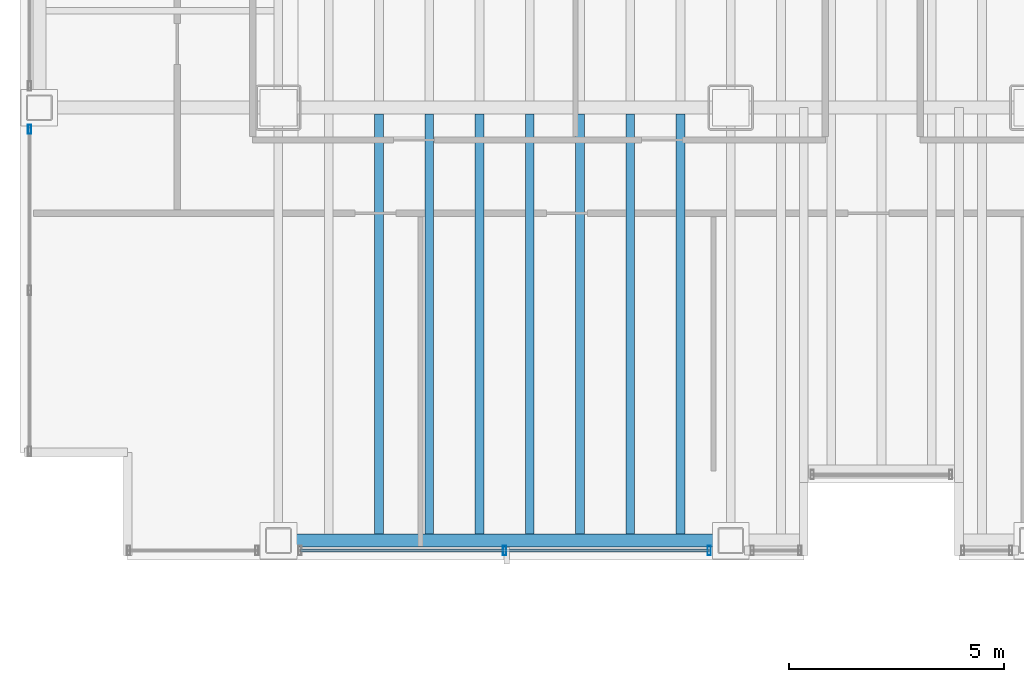
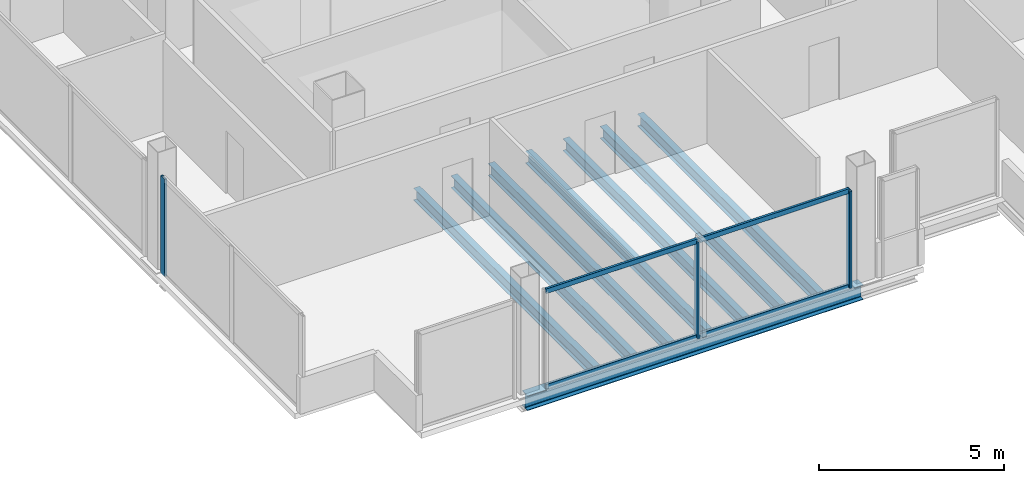
# One storey, part 3 of 22: 8 beams, 5 members, 2 elements without a shape of their own.
"""IFC4 building model written with IfcOpenShell, lengths in metres."""

from ifc_helpers import new_model, si_unit, direction, frame, origin, origin_2d, place, context, subcontext, project, spatial, hollow_rectangle, i_section, extrude, material, material_profile, profile_set, type_object, element, aggregate, save


model = new_model("IFC4")

# Units and contexts
model_context = context("Model", 3, precision=1e-05, world=origin(), true_north=direction((0.0, 1.0)))
body_context = subcontext(model_context, "Body", "Model", "MODEL_VIEW")
ifc_project = project(units=[si_unit("LENGTHUNIT", "METRE"), si_unit("AREAUNIT", "SQUARE_METRE"), si_unit("VOLUMEUNIT", "CUBIC_METRE"), si_unit("PLANEANGLEUNIT", "RADIAN"), si_unit("MASSUNIT", "GRAM", prefix="KILO")], contexts=[model_context])

# Site, building, storey
site_placement = place(None, origin())
site = spatial("IfcSite", under=ifc_project, at=site_placement, CompositionType="ELEMENT")
building_placement = place(site_placement, origin())
building = spatial("IfcBuilding", under=site, at=building_placement, Name="Noeulbin Bourse Tower", CompositionType="ELEMENT")
storey_placement = place(building_placement, frame((0.0, 0.0, 85.0)))
storey = spatial("IfcBuildingStorey", under=building, at=storey_placement, Name="L21", CompositionType="ELEMENT", Elevation=85.0)

# Beams
ifc_material_1 = material(Name="Steel S355", Category="steel")
ifc_material_profile_1 = material_profile(ifc_material_1, i_section(OverallWidth=0.199951171875, OverallDepth=0.39990234375, WebThickness=0.008056640625, FlangeThickness=0.012939453125, FilletRadius=0.01611328125, at=origin_2d()), Name="H-400x200x8x13", Category="LoadBearing")
ifc_profile_set_1 = profile_set([ifc_material_profile_1], Name="Steel S355")
beam_type_1 = type_object("IfcBeamType", Name="BM-SEC-400", PredefinedType="BEAM", material=ifc_profile_set_1)
for number, where, z_axis, x_axis, name in (
    (1, (15.833251953125, 10.10009765625, -0.3798828125), (0.0, 1.0, 0.0), (-1.0, 0.0, 0.0), "Tower Composite Joist L21-04"),
    (2, (17.0, 10.10009765625, -0.3798828125), (0.0, 1.0, 0.0), (-1.0, 0.0, 0.0), "Tower Composite Joist L21-07"),
    (3, (18.166748046875, 10.10009765625, -0.3798828125), (0.0, 1.0, 0.0), (-1.0, 0.0, 0.0), "Tower Composite Joist L21-10"),
    (4, (19.333251953125, 10.10009765625, -0.3798828125), (0.0, 1.0, 0.0), (-1.0, 0.0, 0.0), "Tower Composite Joist L21-13"),
    (5, (20.5, 10.10009765625, -0.3798828125), (0.0, 1.0, 0.0), (-1.0, 0.0, 0.0), "Tower Composite Joist L21-16"),
    (6, (21.666748046875, 10.10009765625, -0.3798828125), (0.0, 1.0, 0.0), (-1.0, 0.0, 0.0), "Tower Composite Joist L21-19"),
    (7, (22.833251953125, 10.10009765625, -0.3798828125), (0.0, 1.0, 0.0), (-1.0, 0.0, 0.0), "Tower Composite Joist L21-22"),
):
    element("IfcBeam", number, at=place(storey_placement, frame(where, z_axis=z_axis, x_axis=x_axis)), inside=storey, type_object=beam_type_1, Name=name, PredefinedType="BEAM", context=body_context, shape_type="SweptSolid", body=[
        extrude(i_section(OverallWidth=0.199951171875, OverallDepth=0.39990234375, WebThickness=0.008056640625, FlangeThickness=0.012939453125, FilletRadius=0.01611328125, at=origin_2d()), origin(), (0.0, 0.0, 1.0), 9.75),
    ])
ifc_material_profile_2 = material_profile(ifc_material_1, i_section(OverallWidth=0.300048828125, OverallDepth=0.488037109375, WebThickness=0.010986328125, FlangeThickness=0.01806640625, FilletRadius=0.02197265625, at=origin_2d()), Name="H-488x300x11x18", Category="LoadBearing")
ifc_profile_set_2 = profile_set([ifc_material_profile_2], Name="Steel S355")
beam_type_2 = type_object("IfcBeamType", Name="BM-SPN-488", PredefinedType="SPANDREL", material=ifc_profile_set_2)
beam_placement = place(storey_placement, frame((13.5, 9.949951171875, -0.424072265625), z_axis=(1.0, 0.0, 0.0), x_axis=(0.0, 1.0, 0.0)))
element("IfcBeam", 8, at=beam_placement, inside=storey, type_object=beam_type_2, Name="South Spandrel L21-1", PredefinedType="SPANDREL", context=body_context, shape_type="SweptSolid", body=[
    extrude(i_section(OverallWidth=0.300048828125, OverallDepth=0.488037109375, WebThickness=0.010986328125, FlangeThickness=0.01806640625, FilletRadius=0.02197265625, at=origin_2d()), origin(), (0.0, 0.0, 1.0), 10.5),
])

# Curtain wall, members
ifc_material_2 = material(Name="Dark Solar-Control Double Glazing", Category="glass")
curtain_wall_type = type_object("IfcCurtainWallType", Name="CW-SYS-2", PredefinedType="NOTDEFINED", material=ifc_material_2)
curtain_wall_1_placement = place(storey_placement, origin())
curtain_wall_1 = element("IfcCurtainWall", 9, at=curtain_wall_1_placement, inside=storey, type_object=curtain_wall_type, Name="Unitised Curtain Wall CW-L21-S1-S2", PredefinedType="NOTDEFINED")
ifc_material_3 = material(Name="Anodised Aluminium 6063-T6", Category="aluminium")
ifc_material_profile_3 = material_profile(ifc_material_3, hollow_rectangle(XDim=0.074951171875, YDim=0.219970703125, WallThickness=0.0048828125, InnerFilletRadius=0.00244140625, OuterFilletRadius=0.0048828125, at=origin_2d()), Name="ALU-MULL-75x220x5", Category="LoadBearing")
ifc_profile_set_3 = profile_set([ifc_material_profile_3], Name="Anodised Aluminium 6063-T6")
member_type_1 = type_object("IfcMemberType", Name="CW-SYS-2-MUL", PredefinedType="MULLION", material=ifc_profile_set_3)
member_1_placement = place(storey_placement, frame((18.75, 9.719970703125, -0.02001953125), z_axis=(0.0, 0.0, 1.0), x_axis=(1.0, 0.0, 0.0)))
member_1 = element("IfcMember", 10, at=member_1_placement, type_object=member_type_1, Name="Curtain Wall Mullion CW-L21-S1-S2-M01", PredefinedType="MULLION", context=body_context, shape_type="SweptSolid", body=[
    extrude(hollow_rectangle(XDim=0.074951171875, YDim=0.219970703125, WallThickness=0.0048828125, InnerFilletRadius=0.00244140625, OuterFilletRadius=0.0048828125, at=origin_2d()), origin(), (0.0, 0.0, 1.0), 3.219970703125),
])
member_2_placement = place(storey_placement, frame((23.5, 9.719970703125, -0.02001953125), z_axis=(0.0, 0.0, 1.0), x_axis=(1.0, 0.0, 0.0)))
member_2 = element("IfcMember", 11, at=member_2_placement, type_object=member_type_1, Name="Curtain Wall Mullion CW-L21-S1-S2-M02", PredefinedType="MULLION", context=body_context, shape_type="SweptSolid", body=[
    extrude(hollow_rectangle(XDim=0.074951171875, YDim=0.219970703125, WallThickness=0.0048828125, InnerFilletRadius=0.00244140625, OuterFilletRadius=0.0048828125, at=origin_2d()), origin(), (0.0, 0.0, 1.0), 3.219970703125),
])

# Curtain wall, member
curtain_wall_2_placement = place(storey_placement, origin())
curtain_wall_2 = element("IfcCurtainWall", 12, at=curtain_wall_2_placement, inside=storey, type_object=curtain_wall_type, Name="Unitised Curtain Wall CW-L21-W-S1", PredefinedType="NOTDEFINED")
member_3_placement = place(storey_placement, frame((7.719970703125, 19.5, -0.02001953125), z_axis=(0.0, 0.0, 1.0), x_axis=(1.0, 0.0, 0.0)))
member_3 = element("IfcMember", 13, at=member_3_placement, type_object=member_type_1, Name="Curtain Wall Mullion CW-L21-W-S1-M02", PredefinedType="MULLION", context=body_context, shape_type="SweptSolid", body=[
    extrude(hollow_rectangle(XDim=0.074951171875, YDim=0.219970703125, WallThickness=0.0048828125, InnerFilletRadius=0.00244140625, OuterFilletRadius=0.0048828125, at=origin_2d()), origin(), (0.0, 0.0, 1.0), 3.219970703125),
])
aggregate(curtain_wall_2, [member_3])

# Member
ifc_material_profile_4 = material_profile(ifc_material_3, hollow_rectangle(XDim=0.074951171875, YDim=0.159912109375, WallThickness=0.0048828125, InnerFilletRadius=0.00244140625, OuterFilletRadius=0.0048828125, at=origin_2d()), Name="ALU-TRAN-75x160x5", Category="LoadBearing")
ifc_profile_set_4 = profile_set([ifc_material_profile_4], Name="Anodised Aluminium 6063-T6")
member_type_2 = type_object("IfcMemberType", Name="CW-SYS-2-TRN", PredefinedType="USERDEFINED", material=ifc_profile_set_4)
member_4_placement = place(storey_placement, frame((14.010009765625, 9.719970703125, 0.010009765625), z_axis=(1.0, 0.0, 0.0), x_axis=(0.0, 1.0, 0.0)))
member_4 = element("IfcMember", 14, at=member_4_placement, type_object=member_type_2, Name="Curtain Wall Transom CW-L21-S1-S2-T00", ObjectType="TRANSOM", PredefinedType="USERDEFINED", context=body_context, shape_type="SweptSolid", body=[
    extrude(hollow_rectangle(XDim=0.074951171875, YDim=0.159912109375, WallThickness=0.0048828125, InnerFilletRadius=0.00244140625, OuterFilletRadius=0.0048828125, at=origin_2d()), origin(), (0.0, 0.0, 1.0), 9.47998046875),
])

member_5_placement = place(storey_placement, frame((14.010009765625, 9.719970703125, 3.169921875), z_axis=(1.0, 0.0, 0.0), x_axis=(0.0, 1.0, 0.0)))
member_5 = element("IfcMember", 15, at=member_5_placement, type_object=member_type_2, Name="Curtain Wall Transom CW-L21-S1-S2-T01", ObjectType="TRANSOM", PredefinedType="USERDEFINED", context=body_context, shape_type="SweptSolid", body=[
    extrude(hollow_rectangle(XDim=0.074951171875, YDim=0.159912109375, WallThickness=0.0048828125, InnerFilletRadius=0.00244140625, OuterFilletRadius=0.0048828125, at=origin_2d()), origin(), (0.0, 0.0, 1.0), 9.47998046875),
])

aggregate(curtain_wall_1, [member_1, member_2, member_4, member_5])

save(model, "model.ifc")
